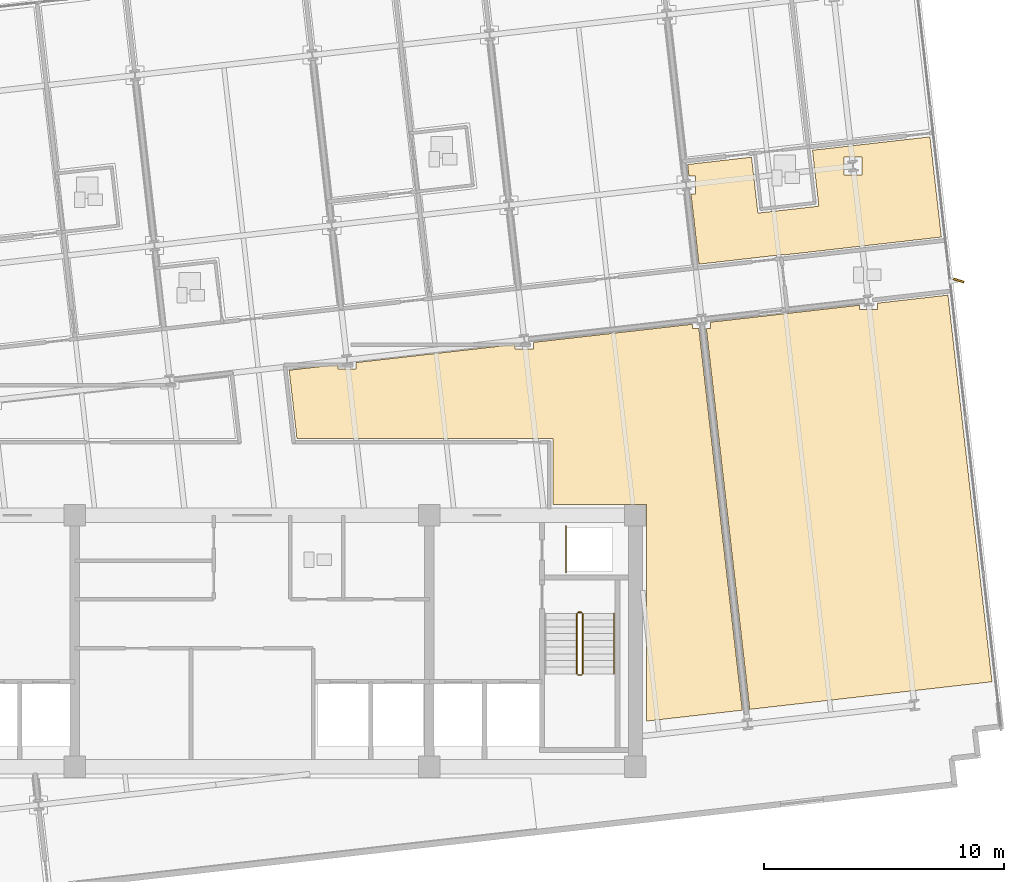
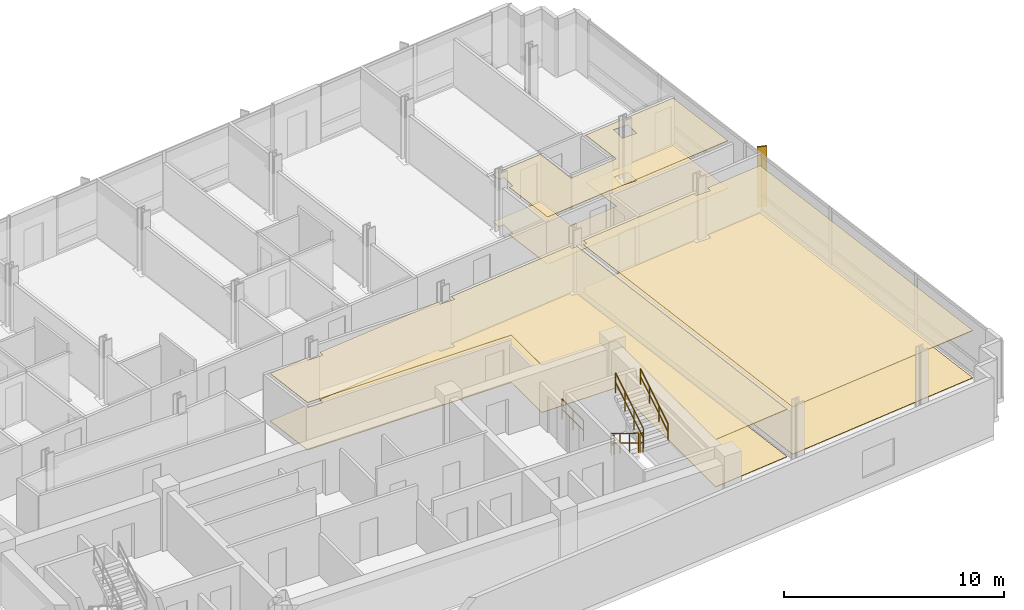
# One storey, part 14 of 16: 6 coverings, 6 railings, 1 shading device.
"""IFC4 building model written with IfcOpenShell, lengths in metres."""

from ifc_helpers import new_model, si_unit, direction, frame, origin, origin_2d, place, context, subcontext, project, spatial, polyline, rectangle, circle, outline, extrude, material, layer, layer_set, type_object, element, save


model = new_model("IFC4")

# Units and contexts
model_context = context("Model", 3, precision=1e-05, world=origin(), true_north=direction((0.0, 1.0)))
body_context = subcontext(model_context, "Body", "Model", "MODEL_VIEW")
ifc_project = project(units=[si_unit("LENGTHUNIT", "METRE"), si_unit("AREAUNIT", "SQUARE_METRE"), si_unit("VOLUMEUNIT", "CUBIC_METRE"), si_unit("PLANEANGLEUNIT", "RADIAN"), si_unit("MASSUNIT", "GRAM", prefix="KILO")], contexts=[model_context])

# Site, building, storey
site_placement = place(None, origin())
site = spatial("IfcSite", under=ifc_project, at=site_placement, CompositionType="ELEMENT")
building_placement = place(site_placement, origin())
building = spatial("IfcBuilding", under=site, at=building_placement, Name="Solmavex Isthmus Hotel", CompositionType="ELEMENT")
storey_placement = place(building_placement, frame((0.0, 0.0, 212.39990234375)))
storey = spatial("IfcBuildingStorey", under=building, at=storey_placement, Name="L57", CompositionType="ELEMENT", Elevation=212.39990234375)

# Coverings
ifc_material_1 = material(Name="Gypsum plasterboard lining", Category="gypsum")
ifc_layer_1 = layer(ifc_material_1, 0.030029296875)
ifc_layer_set_1 = layer_set([ifc_layer_1], Name="Gypsum plasterboard lining")
covering_type_1 = type_object("IfcCoveringType", Name="COV-CEIL-GYP", PredefinedType="CEILING", material=ifc_layer_set_1)
covering_1_placement = place(storey_placement, frame((0.0, 0.0, 2.6201171875)))
element("IfcCovering", 1, at=covering_1_placement, inside=storey, type_object=covering_type_1, Name="Suspended Acoustic Ceiling L57-ST06-FY", PredefinedType="CEILING", context=body_context, shape_type="SweptSolid", body=[
    extrude(outline(polyline([(18.177490234375, 12.14111328125), (18.23193359375, 11.6640625), (18.499267578125, 11.6640625), (18.499267578125, 10.904052734375), (18.318359375, 10.904052734375), (18.651611328125, 7.97998046875), (22.228515625, 8.3876953125), (22.230712890625, 8.36767578125), (28.766357421875, 9.1123046875), (28.2900390625, 13.293212890625), (23.3876953125, 12.73486328125), (23.65380859375, 10.39990234375), (21.1103515625, 10.110107421875), (20.84423828125, 12.445068359375), (18.177490234375, 12.14111328125)]), holes=[polyline([(24.7021484375, 11.697265625), (24.7021484375, 12.457275390625), (25.462158203125, 12.457275390625), (25.462158203125, 11.697265625), (24.7021484375, 11.697265625)])]), origin(), (0.0, 0.0, 1.0), 0.030029296875),
])
covering_2_placement = place(storey_placement, frame((0.0, 0.0, 2.6201171875)))
element("IfcCovering", 2, at=covering_2_placement, inside=storey, type_object=covering_type_1, Name="Suspended Acoustic Ceiling L57-FL13", PredefinedType="CEILING", context=body_context, shape_type="SweptSolid", body=[
    extrude(outline(polyline([(4.34228515625, 3.873779296875), (4.34228515625, 3.6064453125), (3.582275390625, 3.6064453125), (3.582275390625, 3.787109375), (1.547607421875, 3.555419921875), (1.872314453125, 0.705078125), (12.554931640625, 0.705078125), (12.554931640625, -2.044921875), (16.455078125, -2.044921875), (16.455078125, -11.09130859375), (20.46044921875, -10.634765625), (18.645751953125, 5.292236328125), (18.378662109375, 5.292236328125), (18.378662109375, 5.472900390625), (11.740478515625, 4.716796875), (11.740478515625, 4.449462890625), (10.98046875, 4.449462890625), (10.98046875, 4.630126953125), (4.34228515625, 3.873779296875)])), origin(), (0.0, 0.0, 1.0), 0.030029296875),
])
covering_3_placement = place(storey_placement, frame((0.0, 0.0, 2.6201171875)))
element("IfcCovering", 3, at=covering_3_placement, inside=storey, type_object=covering_type_1, Name="Suspended Acoustic Ceiling L57-FL14", PredefinedType="CEILING", context=body_context, shape_type="SweptSolid", body=[
    extrude(outline(polyline([(19.138427734375, 5.5595703125), (19.138427734375, 5.292236328125), (18.957763671875, 5.292236328125), (20.7685546875, -10.599853515625), (30.881103515625, -9.447509765625), (29.042724609375, 6.68798828125), (26.1015625, 6.35302734375), (26.1015625, 6.085693359375), (25.341552734375, 6.085693359375), (25.341552734375, 6.266357421875), (19.138427734375, 5.5595703125)])), origin(), (0.0, 0.0, 1.0), 0.030029296875),
])
ifc_material_2 = material(Name="Travertine natural stone", Category="masonry")
ifc_layer_2 = layer(ifc_material_2, 0.02490234375)
ifc_layer_set_2 = layer_set([ifc_layer_2], Name="Travertine natural stone")
covering_type_2 = type_object("IfcCoveringType", Name="COV-FLOR-STN", PredefinedType="FLOORING", material=ifc_layer_set_2)
covering_4_placement = place(storey_placement, origin())
element("IfcCovering", 4, at=covering_4_placement, inside=storey, type_object=covering_type_2, Name="Stone and Timber Floor Finish L57-ST06-FY", PredefinedType="FLOORING", context=body_context, shape_type="SweptSolid", body=[
    extrude(outline(polyline([(18.177490234375, 12.14111328125), (18.23193359375, 11.6640625), (18.499267578125, 11.6640625), (18.499267578125, 10.904052734375), (18.318359375, 10.904052734375), (18.651611328125, 7.97998046875), (22.228515625, 8.3876953125), (22.230712890625, 8.36767578125), (28.766357421875, 9.1123046875), (28.2900390625, 13.293212890625), (23.3876953125, 12.73486328125), (23.65380859375, 10.39990234375), (21.1103515625, 10.110107421875), (20.84423828125, 12.445068359375), (18.177490234375, 12.14111328125)]), holes=[polyline([(24.7021484375, 11.697265625), (24.7021484375, 12.457275390625), (25.462158203125, 12.457275390625), (25.462158203125, 11.697265625), (24.7021484375, 11.697265625)])]), origin(), (0.0, 0.0, 1.0), 0.025146484375),
])
covering_5_placement = place(storey_placement, origin())
element("IfcCovering", 5, at=covering_5_placement, inside=storey, type_object=covering_type_2, Name="Stone and Timber Floor Finish L57-FL13", PredefinedType="FLOORING", context=body_context, shape_type="SweptSolid", body=[
    extrude(outline(polyline([(4.34228515625, 3.873779296875), (4.34228515625, 3.6064453125), (3.582275390625, 3.6064453125), (3.582275390625, 3.787109375), (1.547607421875, 3.555419921875), (1.872314453125, 0.705078125), (12.554931640625, 0.705078125), (12.554931640625, -2.044921875), (16.455078125, -2.044921875), (16.455078125, -11.09130859375), (20.46044921875, -10.634765625), (18.645751953125, 5.292236328125), (18.378662109375, 5.292236328125), (18.378662109375, 5.472900390625), (11.740478515625, 4.716796875), (11.740478515625, 4.449462890625), (10.98046875, 4.449462890625), (10.98046875, 4.630126953125), (4.34228515625, 3.873779296875)])), origin(), (0.0, 0.0, 1.0), 0.025146484375),
])
covering_6_placement = place(storey_placement, origin())
element("IfcCovering", 6, at=covering_6_placement, inside=storey, type_object=covering_type_2, Name="Stone and Timber Floor Finish L57-FL14", PredefinedType="FLOORING", context=body_context, shape_type="SweptSolid", body=[
    extrude(outline(polyline([(19.138427734375, 5.5595703125), (19.138427734375, 5.292236328125), (18.957763671875, 5.292236328125), (20.7685546875, -10.599853515625), (30.881103515625, -9.447509765625), (29.042724609375, 6.68798828125), (26.1015625, 6.35302734375), (26.1015625, 6.085693359375), (25.341552734375, 6.085693359375), (25.341552734375, 6.266357421875), (19.138427734375, 5.5595703125)])), origin(), (0.0, 0.0, 1.0), 0.025146484375),
])

# Railings
ifc_material_3 = material(Name="Clear low-E laminated glass", Category="glass")
ifc_layer_3 = layer(ifc_material_3, 0.080078125)
ifc_layer_set_3 = layer_set([ifc_layer_3], Name="Clear low-E laminated glass")
railing_type_1 = type_object("IfcRailingType", Name="RAIL-ATRIUM-1120", PredefinedType="BALUSTRADE", material=ifc_layer_set_3)
railing_1_placement = place(storey_placement, frame((13.10009765625, -4.89990234375, 0.0)))
element("IfcRailing", 7, at=railing_1_placement, inside=storey, type_object=railing_type_1, Name="Guardrail Balustrade L57-RSE-01", PredefinedType="BALUSTRADE", context=body_context, shape_type="SweptSolid", body=[
    extrude(circle(Radius=0.02392578125, at=origin_2d()), frame((0.0, 0.0, 1.1259765625), z_axis=(0.0, 1.0, 0.0), x_axis=(-1.0, 0.0, 0.0)), (0.0, 0.0, 1.0), 1.949951171875),
    extrude(circle(Radius=0.02392578125, at=origin_2d()), frame((0.0, 0.0, 0.574951171875), z_axis=(0.0, 1.0, 0.0), x_axis=(-1.0, 0.0, 0.0)), (0.0, 0.0, 1.0), 1.949951171875),
    extrude(circle(Radius=0.02099609375, at=origin_2d()), origin(), (0.0, 0.0, 1.0), 1.101806640625),
    extrude(circle(Radius=0.02099609375, at=origin_2d()), frame((0.0, 0.97509765625, 0.0)), (0.0, 0.0, 1.0), 1.101806640625),
    extrude(circle(Radius=0.02099609375, at=origin_2d()), frame((0.0, 1.949951171875, 0.0)), (0.0, 0.0, 1.0), 1.101806640625),
])
ifc_material_4 = material(Name="Stainless steel 316", Category="steel")
ifc_layer_4 = layer(ifc_material_4, 0.06005859375)
ifc_layer_set_4 = layer_set([ifc_layer_4], Name="Stainless steel 316")
railing_type_2 = type_object("IfcRailingType", Name="RAIL-STAIR-GD", PredefinedType="GUARDRAIL", material=ifc_layer_set_4)
railing_2_placement = place(storey_placement, frame((13.550048828125, -6.60009765625, 0.172607421875)))
element("IfcRailing", 8, at=railing_2_placement, inside=storey, type_object=railing_type_2, Name="L57 ST-2 stair guard 1", PredefinedType="GUARDRAIL", context=body_context, shape_type="SweptSolid", body=[
    extrude(circle(Radius=0.02392578125, at=origin_2d()), frame((0.0, 0.0, 1.09619140625), z_axis=(0.0, -0.851400495292, 0.524516154772), x_axis=(1.0, 0.0, 0.0)), (0.0, 0.0, 1.0), 2.9599609375),
    extrude(circle(Radius=0.02392578125, at=origin_2d()), frame((0.0, 0.0, 0.56005859375), z_axis=(0.0, -0.851400495292, 0.524516154772), x_axis=(1.0, 0.0, 0.0)), (0.0, 0.0, 1.0), 2.9599609375),
    extrude(circle(Radius=0.02099609375, at=origin_2d()), origin(), (0.0, 0.0, 1.0), 1.072021484375),
    extrude(circle(Radius=0.02099609375, at=origin_2d()), frame((0.0, -0.840087890625, 0.517578125)), (0.0, 0.0, 1.0), 1.072021484375),
    extrude(circle(Radius=0.02099609375, at=origin_2d()), frame((0.0, -1.679931640625, 1.034912109375)), (0.0, 0.0, 1.0), 1.072021484375),
    extrude(circle(Radius=0.02099609375, at=origin_2d()), frame((0.0, -2.52001953125, 1.552490234375)), (0.0, 0.0, 1.0), 1.072021484375),
])
railing_3_placement = place(storey_placement, frame((13.60009765625, -9.169921875, 1.72509765625)))
element("IfcRailing", 9, at=railing_3_placement, inside=storey, type_object=railing_type_2, Name="L57 ST-2 stair guard 2", PredefinedType="GUARDRAIL", context=body_context, shape_type="SweptSolid", body=[
    extrude(circle(Radius=0.02392578125, at=origin_2d()), frame((0.0, 0.0, 1.09619140625), z_axis=(1.0, 0.0, 0.0), x_axis=(0.0, 1.0, 0.0)), (0.0, 0.0, 1.0), 0.14990234375),
    extrude(circle(Radius=0.02392578125, at=origin_2d()), frame((0.0, 0.0, 0.56005859375), z_axis=(1.0, 0.0, 0.0), x_axis=(0.0, 1.0, 0.0)), (0.0, 0.0, 1.0), 0.14990234375),
    extrude(circle(Radius=0.02099609375, at=origin_2d()), origin(), (0.0, 0.0, 1.0), 1.072021484375),
    extrude(circle(Radius=0.02099609375, at=origin_2d()), frame((0.14990234375, 0.0, 0.0)), (0.0, 0.0, 1.0), 1.072021484375),
])
railing_4_placement = place(storey_placement, frame((13.800048828125, -9.1201171875, 1.897705078125)))
element("IfcRailing", 10, at=railing_4_placement, inside=storey, type_object=railing_type_2, Name="L57 ST-2 stair guard 3", PredefinedType="GUARDRAIL", context=body_context, shape_type="SweptSolid", body=[
    extrude(circle(Radius=0.02392578125, at=origin_2d()), frame((0.0, 0.0, 1.09619140625), z_axis=(0.0, 0.851400495292, 0.524516154772), x_axis=(-1.0, 0.0, 0.0)), (0.0, 0.0, 1.0), 2.9599609375),
    extrude(circle(Radius=0.02392578125, at=origin_2d()), frame((0.0, 0.0, 0.56005859375), z_axis=(0.0, 0.851400495292, 0.524516154772), x_axis=(-1.0, 0.0, 0.0)), (0.0, 0.0, 1.0), 2.9599609375),
    extrude(circle(Radius=0.02099609375, at=origin_2d()), origin(), (0.0, 0.0, 1.0), 1.072021484375),
    extrude(circle(Radius=0.02099609375, at=origin_2d()), frame((0.0, 0.840087890625, 0.517578125)), (0.0, 0.0, 1.0), 1.072021484375),
    extrude(circle(Radius=0.02099609375, at=origin_2d()), frame((0.0, 1.679931640625, 1.034912109375)), (0.0, 0.0, 1.0), 1.072021484375),
    extrude(circle(Radius=0.02099609375, at=origin_2d()), frame((0.0, 2.52001953125, 1.552490234375)), (0.0, 0.0, 1.0), 1.072021484375),
])
railing_5_placement = place(storey_placement, frame((13.60009765625, -6.550048828125, 0.0)))
element("IfcRailing", 11, at=railing_5_placement, inside=storey, type_object=railing_type_2, Name="L57 ST-2 stair guard 4", PredefinedType="GUARDRAIL", context=body_context, shape_type="SweptSolid", body=[
    extrude(circle(Radius=0.02392578125, at=origin_2d()), frame((0.0, 0.0, 1.09619140625), z_axis=(1.0, 0.0, 0.0), x_axis=(0.0, 1.0, 0.0)), (0.0, 0.0, 1.0), 0.14990234375),
    extrude(circle(Radius=0.02392578125, at=origin_2d()), frame((0.0, 0.0, 0.56005859375), z_axis=(1.0, 0.0, 0.0), x_axis=(0.0, 1.0, 0.0)), (0.0, 0.0, 1.0), 0.14990234375),
    extrude(circle(Radius=0.02099609375, at=origin_2d()), origin(), (0.0, 0.0, 1.0), 1.072021484375),
    extrude(circle(Radius=0.02099609375, at=origin_2d()), frame((0.14990234375, 0.0, 0.0)), (0.0, 0.0, 1.0), 1.072021484375),
])
ifc_layer_5 = layer(ifc_material_4, 0.050048828125)
ifc_layer_set_5 = layer_set([ifc_layer_5], Name="Stainless steel 316")
railing_type_3 = type_object("IfcRailingType", Name="RAIL-STAIR-HR", PredefinedType="HANDRAIL", material=ifc_layer_set_5)
railing_6_placement = place(storey_placement, frame((15.10009765625, -9.1201171875, 1.897705078125)))
element("IfcRailing", 12, at=railing_6_placement, inside=storey, type_object=railing_type_3, Name="L57 ST-2 stair handrail 2", PredefinedType="HANDRAIL", context=body_context, shape_type="SweptSolid", body=[
    extrude(circle(Radius=0.02392578125, at=origin_2d()), frame((0.0, 0.0, 0.8759765625), z_axis=(0.0, 0.851400495292, 0.524516154772), x_axis=(-1.0, 0.0, 0.0)), (0.0, 0.0, 1.0), 2.9599609375),
    extrude(circle(Radius=0.02392578125, at=origin_2d()), frame((0.0, 0.0, 0.449951171875), z_axis=(0.0, 0.851400495292, 0.524516154772), x_axis=(-1.0, 0.0, 0.0)), (0.0, 0.0, 1.0), 2.9599609375),
    extrude(circle(Radius=0.02099609375, at=origin_2d()), origin(), (0.0, 0.0, 1.0), 0.851806640625),
    extrude(circle(Radius=0.02099609375, at=origin_2d()), frame((0.0, 0.840087890625, 0.517578125)), (0.0, 0.0, 1.0), 0.851806640625),
    extrude(circle(Radius=0.02099609375, at=origin_2d()), frame((0.0, 1.679931640625, 1.034912109375)), (0.0, 0.0, 1.0), 0.851806640625),
    extrude(circle(Radius=0.02099609375, at=origin_2d()), frame((0.0, 2.52001953125, 1.552490234375)), (0.0, 0.0, 1.0), 0.851806640625),
])

# Shading device
ifc_material_5 = material(Name="Aluminium alloy 6063-T6", Category="aluminium")
shading_device_type = type_object("IfcShadingDeviceType", Name="SHD-FIN-BRONZE", PredefinedType="USERDEFINED", material=ifc_material_5)
shading_device_placement = place(storey_placement, frame((29.491455078125, 7.2978515625, -0.139892578125), z_axis=(0.0, 0.0, 1.0), x_axis=(0.953716950748, -0.300705799504, 0.0)))
element("IfcShadingDevice", 13, at=shading_device_placement, inside=storey, type_object=shading_device_type, Name="Anodised Aluminium Solar Fin L57-E1", ObjectType="SOLAR_FIN", PredefinedType="USERDEFINED", context=body_context, shape_type="SweptSolid", body=[
    extrude(rectangle(XDim=0.449951171875, YDim=0.080078125, at=origin_2d()), origin(), (0.0, 0.0, 1.0), 3.330078125),
])

save(model, "model.ifc")
